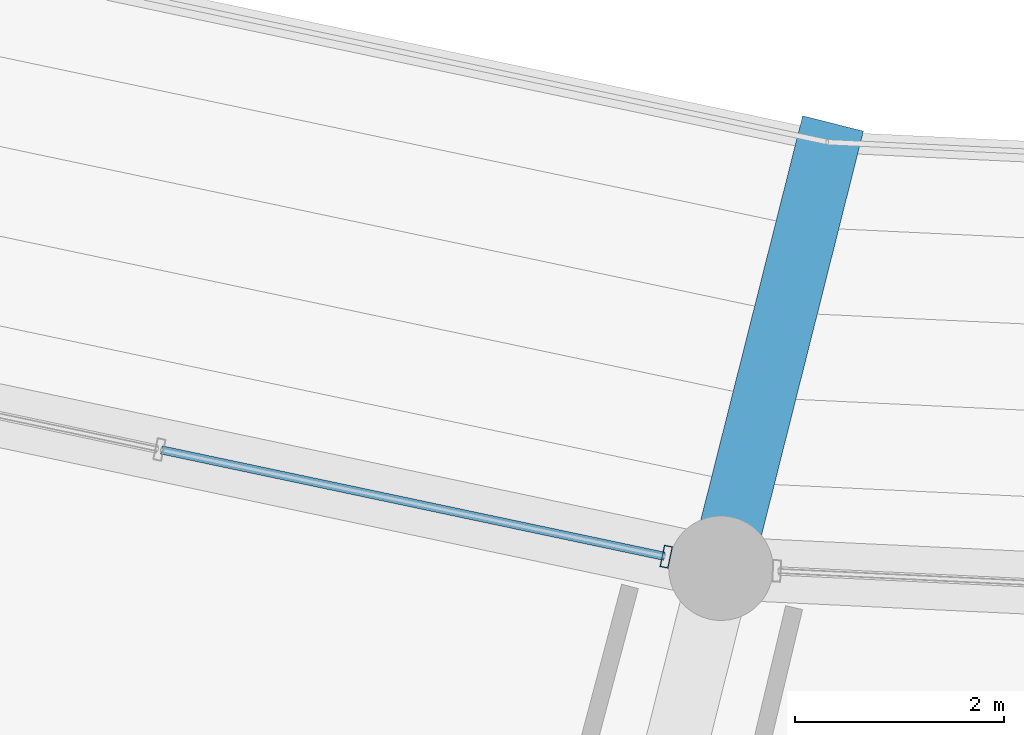
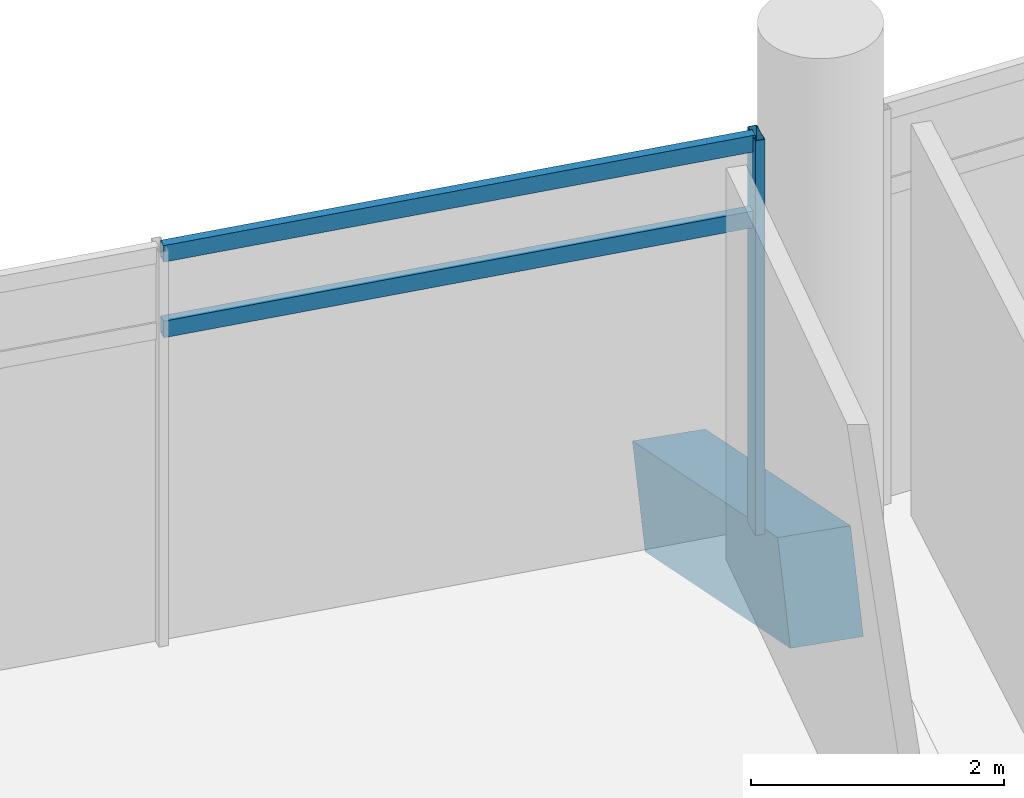
# One storey, part 26 of 171: 3 members, 1 beam, 1 element without a shape of its own.
"""IFC4 building model written with IfcOpenShell, lengths in metres."""

from ifc_helpers import new_model, si_unit, direction, frame, origin, origin_2d, place, context, subcontext, project, spatial, rectangle, hollow_rectangle, extrude, material, layer, layer_set, material_profile, profile_set, type_object, element, aggregate, save


model = new_model("IFC4")

# Units and contexts
model_context = context("Model", 3, precision=1e-05, world=origin(), true_north=direction((0.0, 1.0)))
body_context = subcontext(model_context, "Body", "Model", "MODEL_VIEW")
ifc_project = project(units=[si_unit("LENGTHUNIT", "METRE"), si_unit("AREAUNIT", "SQUARE_METRE"), si_unit("VOLUMEUNIT", "CUBIC_METRE"), si_unit("PLANEANGLEUNIT", "RADIAN"), si_unit("MASSUNIT", "GRAM", prefix="KILO")], contexts=[model_context])

# Site, building, storey
site_placement = place(None, origin())
site = spatial("IfcSite", under=ifc_project, at=site_placement, CompositionType="ELEMENT")
building_placement = place(site_placement, origin())
building = spatial("IfcBuilding", under=site, at=building_placement, Name="Kazemori Nagisa Stadium", CompositionType="ELEMENT")
storey_placement = place(building_placement, frame((0.0, 0.0, 15.639892578125)))
storey = spatial("IfcBuildingStorey", under=building, at=storey_placement, Name="L03", CompositionType="ELEMENT", Elevation=15.639892578125)

# Beam
ifc_material_1 = material(Name="Concrete C40/50 (Fc42)", Category="concrete")
ifc_material_profile_1 = material_profile(ifc_material_1, rectangle(XDim=0.60009765625, YDim=0.89990234375, at=origin_2d()), Name="RC-RK-600x900")
ifc_profile_set_1 = profile_set([ifc_material_profile_1], Name="Concrete C40/50 (Fc42)")
beam_type = type_object("IfcBeamType", Name="Beam_RK-RC600X900", PredefinedType="USERDEFINED", material=ifc_profile_set_1)
beam_placement = place(storey_placement, frame((108.38623046875, 44.0390625, -2.58984375), z_axis=(-0.222769492594, -0.883726365563, 0.411584091017), x_axis=(0.969666141927, -0.244433167143, 0.0)))
element("IfcBeam", 1, at=beam_placement, inside=storey, type_object=beam_type, Name="Raker beam club RK2-21", ObjectType="RAKER BEAM", PredefinedType="USERDEFINED", context=body_context, shape_type="SweptSolid", body=[
    extrude(rectangle(XDim=0.60009765625, YDim=0.89990234375, at=origin_2d()), origin(), (0.0, 0.0, 1.0), 4.615966796875),
])

# Curtain wall, members
ifc_material_2 = material(Name="Anodised aluminium 6063-T5", Category="aluminium")
ifc_layer = layer(ifc_material_2, 0.2099609375, Name="Anodised aluminium 6063-T5", Category="aluminium")
ifc_layer_set = layer_set([ifc_layer], Name="Anodised aluminium 6063-T5")
curtain_wall_type = type_object("IfcCurtainWallType", Name="CW_L03B_75", PredefinedType="USERDEFINED", material=ifc_layer_set)
curtain_wall_placement = place(storey_placement, origin())
curtain_wall = element("IfcCurtainWall", 2, at=curtain_wall_placement, inside=storey, type_object=curtain_wall_type, Name="Unitised curtain wall CW-L03B-75 L03", ObjectType="UNITISED CURTAIN WALL", PredefinedType="USERDEFINED")
ifc_material_3 = material(Name="Aluminium 6063-T5 anodised", Category="aluminium")
ifc_material_profile_2 = material_profile(ifc_material_3, hollow_rectangle(XDim=0.080078125, YDim=0.2099609375, WallThickness=0.0048828125, at=origin_2d()), Name="ALU-MULL-80x210x5")
ifc_profile_set_2 = profile_set([ifc_material_profile_2], Name="Aluminium 6063-T5 anodised")
member_type_1 = type_object("IfcMemberType", Name="Mullion_M02", PredefinedType="MULLION", material=ifc_profile_set_2)
member_1_placement = place(storey_placement, frame((106.83447265625, 40.0703125, 0.0), z_axis=(0.0, 0.0, 1.0), x_axis=(0.978344955407, -0.206981033502, 0.0)))
member_1 = element("IfcMember", 3, at=member_1_placement, type_object=member_type_1, Name="Curtain wall mullion CW-L03B-75-M4", PredefinedType="MULLION", context=body_context, shape_type="SweptSolid", body=[
    extrude(hollow_rectangle(XDim=0.080078125, YDim=0.2099609375, WallThickness=0.0048828125, at=origin_2d()), origin(), (0.0, 0.0, 1.0), 3.81005859375),
])
ifc_material_profile_3 = material_profile(ifc_material_3, hollow_rectangle(XDim=0.080078125, YDim=0.159912109375, WallThickness=0.00390625, at=origin_2d()), Name="ALU-TRAN-80x160x4")
ifc_profile_set_3 = profile_set([ifc_material_profile_3], Name="Aluminium 6063-T5 anodised")
member_type_2 = type_object("IfcMemberType", Name="Transom_T02", PredefinedType="USERDEFINED", material=ifc_profile_set_3)
member_2_placement = place(storey_placement, frame((102.001220703125, 41.0927734375, 3.010009765625), z_axis=(0.978346611518, -0.206973205348, 0.0), x_axis=(0.206973205348, 0.978346611518, 0.0)))
member_2 = element("IfcMember", 4, at=member_2_placement, type_object=member_type_2, Name="Curtain wall transom CW-L03B-75-T3-mid", ObjectType="TRANSOM", PredefinedType="USERDEFINED", context=body_context, shape_type="SweptSolid", body=[
    extrude(hollow_rectangle(XDim=0.080078125, YDim=0.159912109375, WallThickness=0.00390625, at=origin_2d()), origin(), (0.0, 0.0, 1.0), 4.919921875),
])
member_3_placement = place(storey_placement, frame((102.001220703125, 41.0927734375, 3.739990234375), z_axis=(0.978346611518, -0.206973205348, 0.0), x_axis=(0.206973205348, 0.978346611518, 0.0)))
member_3 = element("IfcMember", 5, at=member_3_placement, type_object=member_type_2, Name="Curtain wall transom CW-L03B-75-T3-head", ObjectType="TRANSOM", PredefinedType="USERDEFINED", context=body_context, shape_type="SweptSolid", body=[
    extrude(hollow_rectangle(XDim=0.080078125, YDim=0.159912109375, WallThickness=0.00390625, at=origin_2d()), origin(), (0.0, 0.0, 1.0), 4.919921875),
])
aggregate(curtain_wall, [member_1, member_2, member_3])

save(model, "model.ifc")
